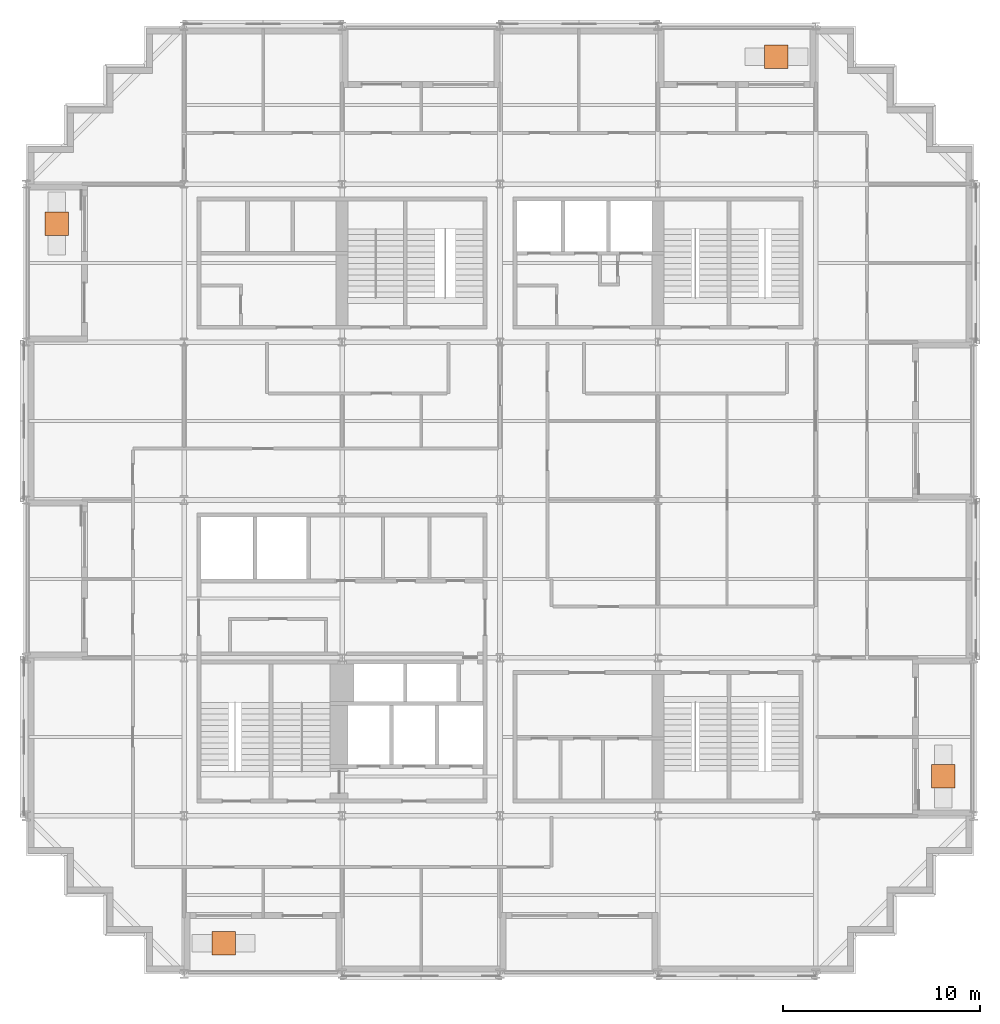
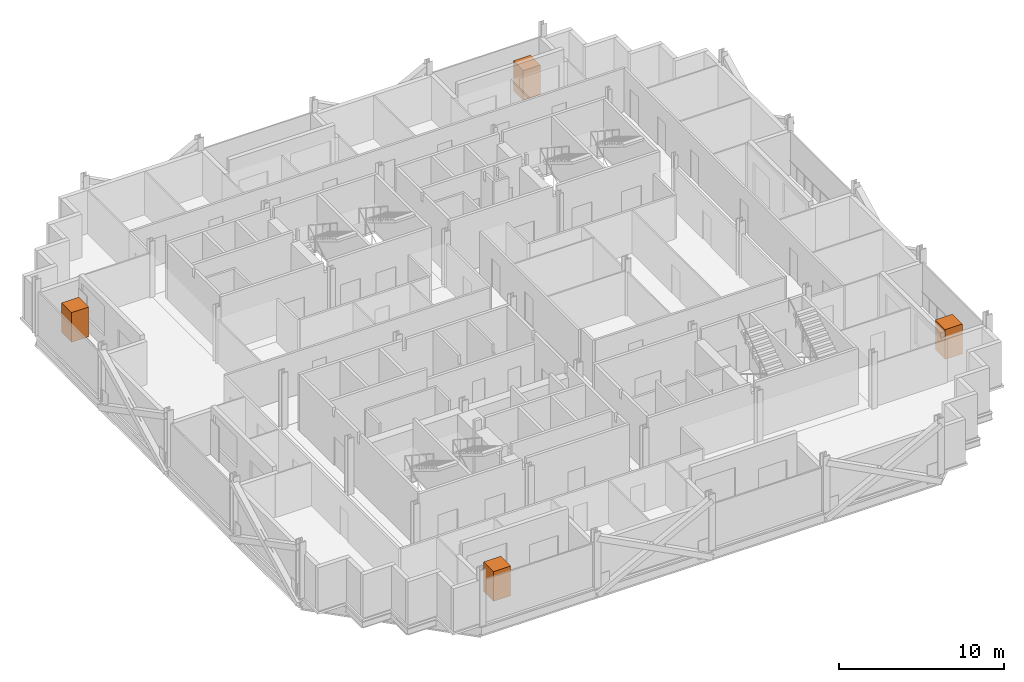
# One storey, part 15 of 15: 4 geographic elements.
"""IFC4 building model written with IfcOpenShell, lengths in metres."""

from ifc_helpers import new_model, si_unit, direction, frame, origin, origin_2d, place, context, subcontext, project, spatial, rectangle, extrude, material, type_object, element, save


model = new_model("IFC4")

# Units and contexts
model_context = context("Model", 3, precision=1e-05, world=origin(), true_north=direction((0.0, 1.0)))
body_context = subcontext(model_context, "Body", "Model", "MODEL_VIEW")
ifc_project = project(units=[si_unit("LENGTHUNIT", "METRE"), si_unit("AREAUNIT", "SQUARE_METRE"), si_unit("VOLUMEUNIT", "CUBIC_METRE"), si_unit("PLANEANGLEUNIT", "RADIAN"), si_unit("MASSUNIT", "GRAM", prefix="KILO")], contexts=[model_context])

# Site, building, storey
site_placement = place(None, origin())
site = spatial("IfcSite", under=ifc_project, at=site_placement, CompositionType="ELEMENT")
building_placement = place(site_placement, origin())
building = spatial("IfcBuilding", under=site, at=building_placement, Name="Immortelle Media Tower", CompositionType="ELEMENT")
storey_placement = place(building_placement, frame((0.0, 0.0, 109.60009765625)))
storey = spatial("IfcBuildingStorey", under=building, at=storey_placement, Name="L21", CompositionType="ELEMENT", Elevation=109.60009765625)

# Geographic elements
ifc_material = material(Name="Tree canopy foliage")
geographic_element_type = type_object("IfcGeographicElementType", Name="Tree", PredefinedType="USERDEFINED", material=ifc_material)
for number, where, z_axis, x_axis, name in (
    (1, (1.550048828125, 38.0, 0.60009765625), (0.0, 0.0, 1.0), (1.0, 0.0, 0.0), "Tree L21 W0"),
    (2, (10.0, 1.550048828125, 0.60009765625), (0.0, 0.0, 1.0), (1.0, 0.0, 0.0), "Tree L21 S0"),
    (3, (46.449951171875, 10.0, 0.60009765625), (0.0, 0.0, 1.0), (1.0, 0.0, 0.0), "Tree L21 E0"),
    (4, (38.0, 46.449951171875, 0.60009765625), (0.0, 0.0, 1.0), (1.0, 0.0, 0.0), "Tree L21 N0"),
):
    element("IfcGeographicElement", number, at=place(storey_placement, frame(where, z_axis=z_axis, x_axis=x_axis)), inside=storey, type_object=geographic_element_type, Name=name, ObjectType="Tree", PredefinedType="USERDEFINED", context=body_context, shape_type="SweptSolid", body=[
        extrude(rectangle(XDim=1.199951171875, YDim=1.199951171875, at=origin_2d()), origin(), (0.0, 0.0, 1.0), 2.199951171875),
    ])

save(model, "model.ifc")
